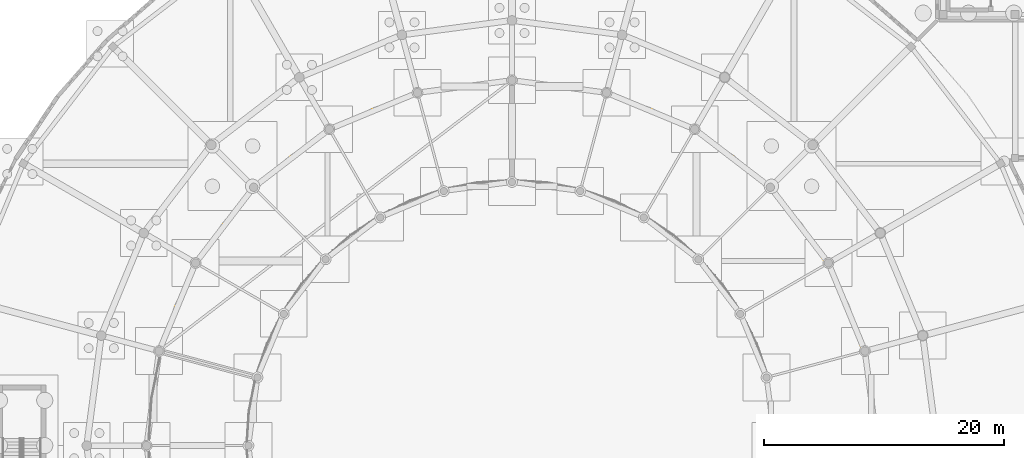
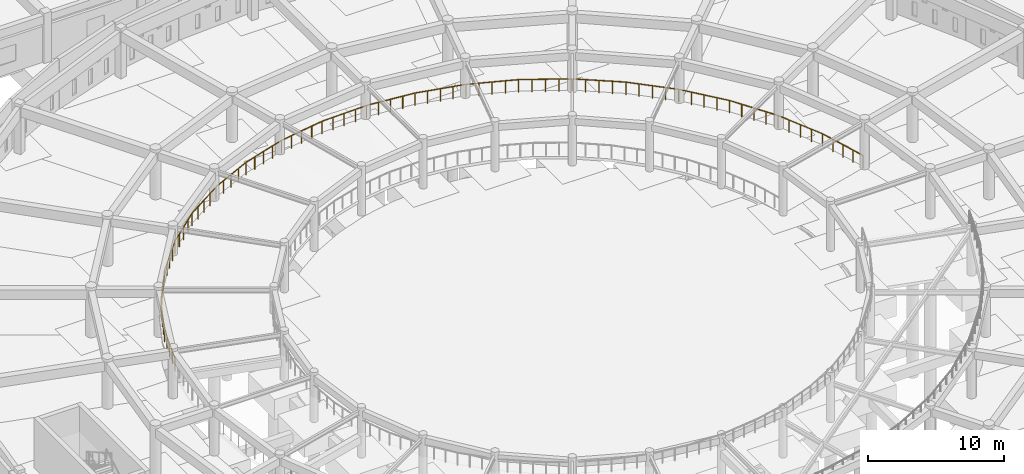
# One storey, part 72 of 84: 1 railing.
"""IFC4 building model written with IfcOpenShell, lengths in metres."""

from ifc_helpers import new_model, si_unit, direction, frame, origin, origin_2d, place, context, subcontext, project, spatial, circle, extrude, material, type_object, element, save


model = new_model("IFC4")

# Units and contexts
model_context = context("Model", 3, precision=1e-05, world=origin(), true_north=direction((0.0, 1.0)))
body_context = subcontext(model_context, "Body", "Model", "MODEL_VIEW")
ifc_project = project(units=[si_unit("LENGTHUNIT", "METRE"), si_unit("AREAUNIT", "SQUARE_METRE"), si_unit("VOLUMEUNIT", "CUBIC_METRE"), si_unit("PLANEANGLEUNIT", "RADIAN"), si_unit("MASSUNIT", "GRAM", prefix="KILO")], contexts=[model_context])

# Site, building, storey
site_placement = place(None, origin())
site = spatial("IfcSite", under=ifc_project, at=site_placement, CompositionType="ELEMENT")
building_placement = place(site_placement, origin())
building = spatial("IfcBuilding", under=site, at=building_placement, Name="Larkveld Mobility Hub", CompositionType="ELEMENT")
storey_placement = place(building_placement, origin())
storey = spatial("IfcBuildingStorey", under=building, at=storey_placement, Name="L00", CompositionType="ELEMENT", Elevation=0.0)

# Railing
ifc_material = material(Name="Galvanized Steel S355JR vehicle-deck guard", Category="steel")
railing_type = type_object("IfcRailingType", Name="RL-GRD-RMP", PredefinedType="GUARDRAIL", material=ifc_material)
railing_placement = place(storey_placement, frame((77.31591796875, 55.85498046875, 0.0)))
element("IfcRailing", 1, at=railing_placement, inside=storey, type_object=railing_type, Name="Helical Ramp Outer Sloped Guard T1 L00-004", PredefinedType="GUARDRAIL", context=body_context, shape_type="SweptSolid", body=[
    extrude(circle(Radius=0.02392578125, at=origin_2d()), frame((0.0, 0.0, 1.1259765625), z_axis=(-0.321277406902, 0.946557258721, 0.028463727401), x_axis=(-0.94694093454, -0.321407632909, 0.0)), (0.0, 0.0, 1.0), 3.97119140625),
    extrude(circle(Radius=0.02392578125, at=origin_2d()), frame((-1.27587890625, 3.759033203125, 1.23876953125), z_axis=(-0.442111693568, 0.896516218877, 0.028212048846), x_axis=(-0.896873209453, -0.442287741368, 0.0)), (0.0, 0.0, 1.0), 3.97216796875),
    extrude(circle(Radius=0.02392578125, at=origin_2d()), frame((-3.031982421875, 7.320068359375, 1.35107421875), z_axis=(-0.555416183512, 0.831095862911, 0.028151904831), x_axis=(-0.831425392892, -0.555636406344, 0.0)), (0.0, 0.0, 1.0), 3.971923828125),
    extrude(circle(Radius=0.02392578125, at=origin_2d()), frame((-5.238037109375, 10.62109375, 1.462890625), z_axis=(-0.658977380107, 0.751623980706, 0.028464084988), x_axis=(-0.75192865028, -0.659244495531, 0.0)), (0.0, 0.0, 1.0), 3.97119140625),
    extrude(circle(Radius=0.02392578125, at=origin_2d()), frame((-7.85498046875, 13.60595703125, 1.57568359375), z_axis=(-0.751629219105, 0.658981972811, 0.028218371632), x_axis=(-0.659244495531, -0.75192865028, 0.0)), (0.0, 0.0, 1.0), 3.97119140625),
    extrude(circle(Radius=0.02392578125, at=origin_2d()), frame((-10.83984375, 16.222900390625, 1.68798828125), z_axis=(-0.831088633054, 0.555411351843, 0.028458992464), x_axis=(-0.555636406344, -0.831425392892, 0.0)), (0.0, 0.0, 1.0), 3.971923828125),
    extrude(circle(Radius=0.02392578125, at=origin_2d()), frame((-14.140869140625, 18.428955078125, 1.80078125), z_axis=(-0.896516218877, 0.442111693568, 0.028212048846), x_axis=(-0.442287741368, -0.896873209453, 0.0)), (0.0, 0.0, 1.0), 3.97216796875),
    extrude(circle(Radius=0.02392578125, at=origin_2d()), frame((-17.701904296875, 20.18505859375, 1.9130859375), z_axis=(-0.946558913276, 0.321277968486, 0.028402300314), x_axis=(-0.321407632909, -0.94694093454, 0.0)), (0.0, 0.0, 1.0), 3.97119140625),
    extrude(circle(Radius=0.02392578125, at=origin_2d()), frame((-21.4609375, 21.4609375, 2.02587890625), z_axis=(-0.980414269002, 0.194914962195, 0.028213802475), x_axis=(-0.194992586513, -0.980804716141, 0.0)), (0.0, 0.0, 1.0), 3.971923828125),
    extrude(circle(Radius=0.02392578125, at=origin_2d()), frame((-25.35498046875, 22.235107421875, 2.1376953125), z_axis=(-0.997448060155, 0.065475972884, 0.028465141263), x_axis=(-0.065502515435, -0.997852404152, 0.0)), (0.0, 0.0, 1.0), 3.97119140625),
    extrude(circle(Radius=0.02392578125, at=origin_2d()), frame((-29.31591796875, 22.4951171875, 2.2509765625), z_axis=(-0.997448060155, -0.065475972884, 0.028465141263), x_axis=(0.065502515435, -0.997852404152, 0.0)), (0.0, 0.0, 1.0), 3.97119140625),
    extrude(circle(Radius=0.02392578125, at=origin_2d()), frame((-33.27685546875, 22.235107421875, 2.36376953125), z_axis=(-0.980414269002, -0.194914962195, 0.028213802475), x_axis=(0.194992586513, -0.980804716141, 0.0)), (0.0, 0.0, 1.0), 3.971923828125),
    extrude(circle(Radius=0.02392578125, at=origin_2d()), frame((-37.1708984375, 21.4609375, 2.47607421875), z_axis=(-0.946558913276, -0.321277968486, 0.028402300314), x_axis=(0.321407632909, -0.94694093454, 0.0)), (0.0, 0.0, 1.0), 3.97119140625),
    extrude(circle(Radius=0.02392578125, at=origin_2d()), frame((-40.929931640625, 20.18505859375, 2.5888671875), z_axis=(-0.896516218877, -0.442111693568, 0.028212048846), x_axis=(0.442287741368, -0.896873209453, 0.0)), (0.0, 0.0, 1.0), 3.97216796875),
    extrude(circle(Radius=0.02392578125, at=origin_2d()), frame((-44.490966796875, 18.428955078125, 2.70068359375), z_axis=(-0.831088633054, -0.555411351843, 0.028458992464), x_axis=(0.555636406344, -0.831425392892, 0.0)), (0.0, 0.0, 1.0), 3.971923828125),
    extrude(circle(Radius=0.02392578125, at=origin_2d()), frame((-47.7919921875, 16.222900390625, 2.81396484375), z_axis=(-0.751629219105, -0.658981972811, 0.028218371632), x_axis=(0.659244495531, -0.75192865028, 0.0)), (0.0, 0.0, 1.0), 3.97119140625),
    extrude(circle(Radius=0.02392578125, at=origin_2d()), frame((-50.77685546875, 13.60595703125, 2.92578125), z_axis=(-0.658981972811, -0.751629219105, 0.028218371632), x_axis=(0.75192865028, -0.659244495531, 0.0)), (0.0, 0.0, 1.0), 3.97119140625),
    extrude(circle(Radius=0.02392578125, at=origin_2d()), frame((-53.393798828125, 10.62109375, 3.0380859375), z_axis=(-0.555412322364, -0.83109008529, 0.028397575579), x_axis=(0.831425392892, -0.555636406344, 0.0)), (0.0, 0.0, 1.0), 3.971923828125),
    extrude(circle(Radius=0.02392578125, at=origin_2d()), frame((-55.599853515625, 7.320068359375, 3.15087890625), z_axis=(-0.442111693568, -0.896516218877, 0.028212048846), x_axis=(0.896873209453, -0.442287741368, 0.0)), (0.0, 0.0, 1.0), 3.97216796875),
    extrude(circle(Radius=0.02392578125, at=origin_2d()), frame((-57.35595703125, 3.759033203125, 3.2626953125), z_axis=(-0.321277406902, -0.946557258721, 0.028463727401), x_axis=(0.94694093454, -0.321407632909, 0.0)), (0.0, 0.0, 1.0), 3.97119140625),
    extrude(circle(Radius=0.02099609375, at=origin_2d()), origin(), (0.0, 0.0, 1.0), 1.101806640625),
    extrude(circle(Radius=0.02099609375, at=origin_2d()), frame((-0.31884765625, 0.939697265625, 0.0283203125)), (0.0, 0.0, 1.0), 1.101806640625),
    extrude(circle(Radius=0.02099609375, at=origin_2d()), frame((-0.637939453125, 1.87939453125, 0.056640625)), (0.0, 0.0, 1.0), 1.101806640625),
    extrude(circle(Radius=0.02099609375, at=origin_2d()), frame((-0.95703125, 2.8193359375, 0.084716796875)), (0.0, 0.0, 1.0), 1.101806640625),
    extrude(circle(Radius=0.02099609375, at=origin_2d()), frame((-1.27587890625, 3.759033203125, 0.113037109375)), (0.0, 0.0, 1.0), 1.101806640625),
    extrude(circle(Radius=0.02099609375, at=origin_2d()), frame((-1.71484375, 4.6494140625, 0.14111328125)), (0.0, 0.0, 1.0), 1.101806640625),
    extrude(circle(Radius=0.02099609375, at=origin_2d()), frame((-2.15380859375, 5.53955078125, 0.1689453125)), (0.0, 0.0, 1.0), 1.101806640625),
    extrude(circle(Radius=0.02099609375, at=origin_2d()), frame((-2.593017578125, 6.4296875, 0.197021484375)), (0.0, 0.0, 1.0), 1.101806640625),
    extrude(circle(Radius=0.02099609375, at=origin_2d()), frame((-3.031982421875, 7.320068359375, 0.22509765625)), (0.0, 0.0, 1.0), 1.101806640625),
    extrude(circle(Radius=0.02099609375, at=origin_2d()), frame((-3.58349609375, 8.145263671875, 0.2529296875)), (0.0, 0.0, 1.0), 1.101806640625),
    extrude(circle(Radius=0.02099609375, at=origin_2d()), frame((-4.135009765625, 8.970703125, 0.281005859375)), (0.0, 0.0, 1.0), 1.101806640625),
    extrude(circle(Radius=0.02099609375, at=origin_2d()), frame((-4.6865234375, 9.7958984375, 0.30908203125)), (0.0, 0.0, 1.0), 1.101806640625),
    extrude(circle(Radius=0.02099609375, at=origin_2d()), frame((-5.238037109375, 10.62109375, 0.3369140625)), (0.0, 0.0, 1.0), 1.101806640625),
    extrude(circle(Radius=0.02099609375, at=origin_2d()), frame((-5.892333984375, 11.3671875, 0.365234375)), (0.0, 0.0, 1.0), 1.101806640625),
    extrude(circle(Radius=0.02099609375, at=origin_2d()), frame((-6.54638671875, 12.113525390625, 0.3935546875)), (0.0, 0.0, 1.0), 1.101806640625),
    extrude(circle(Radius=0.02099609375, at=origin_2d()), frame((-7.20068359375, 12.85986328125, 0.421630859375)), (0.0, 0.0, 1.0), 1.101806640625),
    extrude(circle(Radius=0.02099609375, at=origin_2d()), frame((-7.85498046875, 13.60595703125, 0.449951171875)), (0.0, 0.0, 1.0), 1.101806640625),
    extrude(circle(Radius=0.02099609375, at=origin_2d()), frame((-8.60107421875, 14.26025390625, 0.47802734375)), (0.0, 0.0, 1.0), 1.101806640625),
    extrude(circle(Radius=0.02099609375, at=origin_2d()), frame((-9.347412109375, 14.91455078125, 0.505859375)), (0.0, 0.0, 1.0), 1.101806640625),
    extrude(circle(Radius=0.02099609375, at=origin_2d()), frame((-10.09375, 15.568603515625, 0.533935546875)), (0.0, 0.0, 1.0), 1.101806640625),
    extrude(circle(Radius=0.02099609375, at=origin_2d()), frame((-10.83984375, 16.222900390625, 0.56201171875)), (0.0, 0.0, 1.0), 1.101806640625),
    extrude(circle(Radius=0.02099609375, at=origin_2d()), frame((-11.6650390625, 16.7744140625, 0.59033203125)), (0.0, 0.0, 1.0), 1.101806640625),
    extrude(circle(Radius=0.02099609375, at=origin_2d()), frame((-12.490234375, 17.325927734375, 0.61865234375)), (0.0, 0.0, 1.0), 1.101806640625),
    extrude(circle(Radius=0.02099609375, at=origin_2d()), frame((-13.315673828125, 17.87744140625, 0.646728515625)), (0.0, 0.0, 1.0), 1.101806640625),
    extrude(circle(Radius=0.02099609375, at=origin_2d()), frame((-14.140869140625, 18.428955078125, 0.675048828125)), (0.0, 0.0, 1.0), 1.101806640625),
    extrude(circle(Radius=0.02099609375, at=origin_2d()), frame((-15.03125, 18.867919921875, 0.703125)), (0.0, 0.0, 1.0), 1.101806640625),
    extrude(circle(Radius=0.02099609375, at=origin_2d()), frame((-15.92138671875, 19.30712890625, 0.73095703125)), (0.0, 0.0, 1.0), 1.101806640625),
    extrude(circle(Radius=0.02099609375, at=origin_2d()), frame((-16.8115234375, 19.74609375, 0.759033203125)), (0.0, 0.0, 1.0), 1.101806640625),
    extrude(circle(Radius=0.02099609375, at=origin_2d()), frame((-17.701904296875, 20.18505859375, 0.787109375)), (0.0, 0.0, 1.0), 1.101806640625),
    extrude(circle(Radius=0.02099609375, at=origin_2d()), frame((-18.6416015625, 20.50390625, 0.8154296875)), (0.0, 0.0, 1.0), 1.101806640625),
    extrude(circle(Radius=0.02099609375, at=origin_2d()), frame((-19.58154296875, 20.822998046875, 0.843505859375)), (0.0, 0.0, 1.0), 1.101806640625),
    extrude(circle(Radius=0.02099609375, at=origin_2d()), frame((-20.521240234375, 21.14208984375, 0.87158203125)), (0.0, 0.0, 1.0), 1.101806640625),
    extrude(circle(Radius=0.02099609375, at=origin_2d()), frame((-21.4609375, 21.4609375, 0.89990234375)), (0.0, 0.0, 1.0), 1.101806640625),
    extrude(circle(Radius=0.02099609375, at=origin_2d()), frame((-22.4345703125, 21.654541015625, 0.927978515625)), (0.0, 0.0, 1.0), 1.101806640625),
    extrude(circle(Radius=0.02099609375, at=origin_2d()), frame((-23.407958984375, 21.84814453125, 0.9560546875)), (0.0, 0.0, 1.0), 1.101806640625),
    extrude(circle(Radius=0.02099609375, at=origin_2d()), frame((-24.38134765625, 22.04150390625, 0.98388671875)), (0.0, 0.0, 1.0), 1.101806640625),
    extrude(circle(Radius=0.02099609375, at=origin_2d()), frame((-25.35498046875, 22.235107421875, 1.011962890625)), (0.0, 0.0, 1.0), 1.101806640625),
    extrude(circle(Radius=0.02099609375, at=origin_2d()), frame((-26.34521484375, 22.300048828125, 1.040283203125)), (0.0, 0.0, 1.0), 1.101806640625),
    extrude(circle(Radius=0.02099609375, at=origin_2d()), frame((-27.33544921875, 22.365234375, 1.068359375)), (0.0, 0.0, 1.0), 1.101806640625),
    extrude(circle(Radius=0.02099609375, at=origin_2d()), frame((-28.32568359375, 22.43017578125, 1.0966796875)), (0.0, 0.0, 1.0), 1.101806640625),
    extrude(circle(Radius=0.02099609375, at=origin_2d()), frame((-29.31591796875, 22.4951171875, 1.125)), (0.0, 0.0, 1.0), 1.101806640625),
    extrude(circle(Radius=0.02099609375, at=origin_2d()), frame((-30.30615234375, 22.43017578125, 1.1533203125)), (0.0, 0.0, 1.0), 1.101806640625),
    extrude(circle(Radius=0.02099609375, at=origin_2d()), frame((-31.29638671875, 22.365234375, 1.181640625)), (0.0, 0.0, 1.0), 1.101806640625),
    extrude(circle(Radius=0.02099609375, at=origin_2d()), frame((-32.28662109375, 22.300048828125, 1.209716796875)), (0.0, 0.0, 1.0), 1.101806640625),
    extrude(circle(Radius=0.02099609375, at=origin_2d()), frame((-33.27685546875, 22.235107421875, 1.238037109375)), (0.0, 0.0, 1.0), 1.101806640625),
    extrude(circle(Radius=0.02099609375, at=origin_2d()), frame((-34.25048828125, 22.04150390625, 1.26611328125)), (0.0, 0.0, 1.0), 1.101806640625),
    extrude(circle(Radius=0.02099609375, at=origin_2d()), frame((-35.223876953125, 21.84814453125, 1.2939453125)), (0.0, 0.0, 1.0), 1.101806640625),
    extrude(circle(Radius=0.02099609375, at=origin_2d()), frame((-36.197265625, 21.654541015625, 1.322021484375)), (0.0, 0.0, 1.0), 1.101806640625),
    extrude(circle(Radius=0.02099609375, at=origin_2d()), frame((-37.1708984375, 21.4609375, 1.35009765625)), (0.0, 0.0, 1.0), 1.101806640625),
    extrude(circle(Radius=0.02099609375, at=origin_2d()), frame((-38.110595703125, 21.14208984375, 1.37841796875)), (0.0, 0.0, 1.0), 1.101806640625),
    extrude(circle(Radius=0.02099609375, at=origin_2d()), frame((-39.05029296875, 20.822998046875, 1.406494140625)), (0.0, 0.0, 1.0), 1.101806640625),
    extrude(circle(Radius=0.02099609375, at=origin_2d()), frame((-39.990234375, 20.50390625, 1.4345703125)), (0.0, 0.0, 1.0), 1.101806640625),
    extrude(circle(Radius=0.02099609375, at=origin_2d()), frame((-40.929931640625, 20.18505859375, 1.462890625)), (0.0, 0.0, 1.0), 1.101806640625),
    extrude(circle(Radius=0.02099609375, at=origin_2d()), frame((-41.8203125, 19.74609375, 1.490966796875)), (0.0, 0.0, 1.0), 1.101806640625),
    extrude(circle(Radius=0.02099609375, at=origin_2d()), frame((-42.71044921875, 19.30712890625, 1.51904296875)), (0.0, 0.0, 1.0), 1.101806640625),
    extrude(circle(Radius=0.02099609375, at=origin_2d()), frame((-43.6005859375, 18.867919921875, 1.546875)), (0.0, 0.0, 1.0), 1.101806640625),
    extrude(circle(Radius=0.02099609375, at=origin_2d()), frame((-44.490966796875, 18.428955078125, 1.574951171875)), (0.0, 0.0, 1.0), 1.101806640625),
    extrude(circle(Radius=0.02099609375, at=origin_2d()), frame((-45.316162109375, 17.87744140625, 1.603271484375)), (0.0, 0.0, 1.0), 1.101806640625),
    extrude(circle(Radius=0.02099609375, at=origin_2d()), frame((-46.1416015625, 17.325927734375, 1.63134765625)), (0.0, 0.0, 1.0), 1.101806640625),
    extrude(circle(Radius=0.02099609375, at=origin_2d()), frame((-46.966796875, 16.7744140625, 1.65966796875)), (0.0, 0.0, 1.0), 1.101806640625),
    extrude(circle(Radius=0.02099609375, at=origin_2d()), frame((-47.7919921875, 16.222900390625, 1.68798828125)), (0.0, 0.0, 1.0), 1.101806640625),
    extrude(circle(Radius=0.02099609375, at=origin_2d()), frame((-48.5380859375, 15.568603515625, 1.716064453125)), (0.0, 0.0, 1.0), 1.101806640625),
    extrude(circle(Radius=0.02099609375, at=origin_2d()), frame((-49.284423828125, 14.91455078125, 1.744140625)), (0.0, 0.0, 1.0), 1.101806640625),
    extrude(circle(Radius=0.02099609375, at=origin_2d()), frame((-50.03076171875, 14.26025390625, 1.77197265625)), (0.0, 0.0, 1.0), 1.101806640625),
    extrude(circle(Radius=0.02099609375, at=origin_2d()), frame((-50.77685546875, 13.60595703125, 1.800048828125)), (0.0, 0.0, 1.0), 1.101806640625),
    extrude(circle(Radius=0.02099609375, at=origin_2d()), frame((-51.43115234375, 12.85986328125, 1.828125)), (0.0, 0.0, 1.0), 1.101806640625),
    extrude(circle(Radius=0.02099609375, at=origin_2d()), frame((-52.08544921875, 12.113525390625, 1.85595703125)), (0.0, 0.0, 1.0), 1.101806640625),
    extrude(circle(Radius=0.02099609375, at=origin_2d()), frame((-52.739501953125, 11.3671875, 1.884033203125)), (0.0, 0.0, 1.0), 1.101806640625),
    extrude(circle(Radius=0.02099609375, at=origin_2d()), frame((-53.393798828125, 10.62109375, 1.912109375)), (0.0, 0.0, 1.0), 1.101806640625),
    extrude(circle(Radius=0.02099609375, at=origin_2d()), frame((-53.9453125, 9.7958984375, 1.9404296875)), (0.0, 0.0, 1.0), 1.101806640625),
    extrude(circle(Radius=0.02099609375, at=origin_2d()), frame((-54.496826171875, 8.970703125, 1.968505859375)), (0.0, 0.0, 1.0), 1.101806640625),
    extrude(circle(Radius=0.02099609375, at=origin_2d()), frame((-55.04833984375, 8.145263671875, 1.99658203125)), (0.0, 0.0, 1.0), 1.101806640625),
    extrude(circle(Radius=0.02099609375, at=origin_2d()), frame((-55.599853515625, 7.320068359375, 2.02490234375)), (0.0, 0.0, 1.0), 1.101806640625),
    extrude(circle(Radius=0.02099609375, at=origin_2d()), frame((-56.038818359375, 6.4296875, 2.052978515625)), (0.0, 0.0, 1.0), 1.101806640625),
    extrude(circle(Radius=0.02099609375, at=origin_2d()), frame((-56.47802734375, 5.53955078125, 2.0810546875)), (0.0, 0.0, 1.0), 1.101806640625),
    extrude(circle(Radius=0.02099609375, at=origin_2d()), frame((-56.9169921875, 4.6494140625, 2.10888671875)), (0.0, 0.0, 1.0), 1.101806640625),
    extrude(circle(Radius=0.02099609375, at=origin_2d()), frame((-57.35595703125, 3.759033203125, 2.136962890625)), (0.0, 0.0, 1.0), 1.101806640625),
    extrude(circle(Radius=0.02099609375, at=origin_2d()), frame((-57.6748046875, 2.8193359375, 2.165283203125)), (0.0, 0.0, 1.0), 1.101806640625),
    extrude(circle(Radius=0.02099609375, at=origin_2d()), frame((-57.993896484375, 1.87939453125, 2.193359375)), (0.0, 0.0, 1.0), 1.101806640625),
    extrude(circle(Radius=0.02099609375, at=origin_2d()), frame((-58.31298828125, 0.939697265625, 2.2216796875)), (0.0, 0.0, 1.0), 1.101806640625),
    extrude(circle(Radius=0.02099609375, at=origin_2d()), frame((-58.6318359375, 0.0, 2.25)), (0.0, 0.0, 1.0), 1.101806640625),
])

save(model, "model.ifc")
